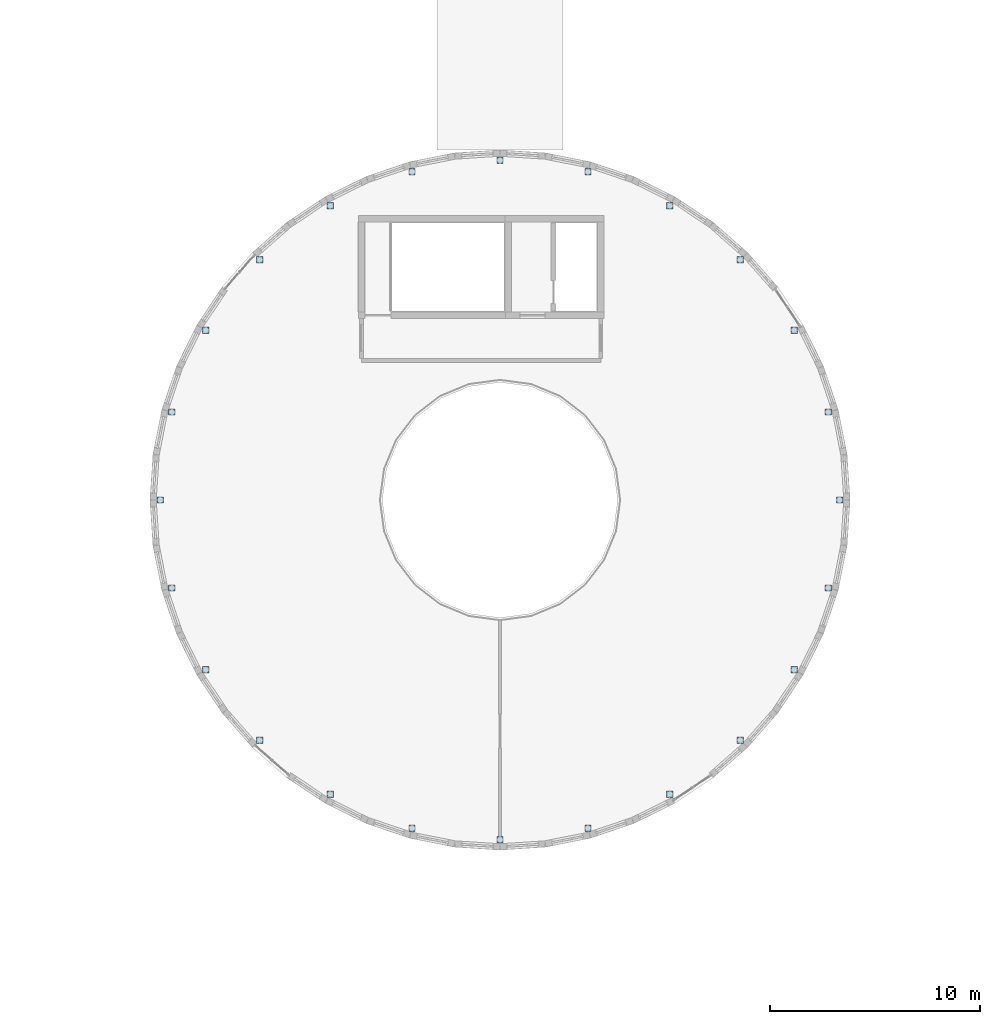
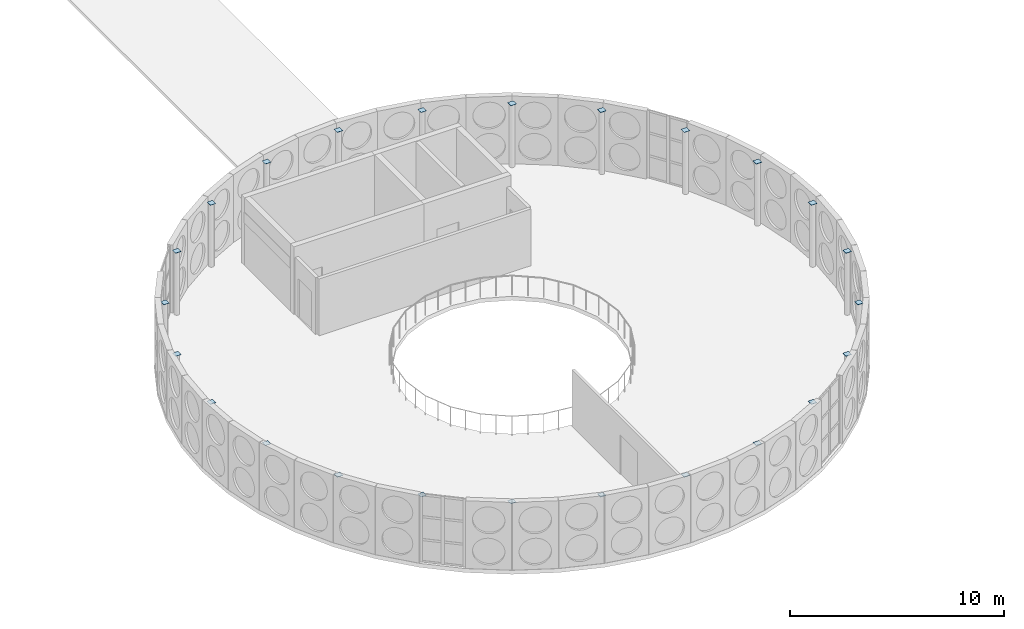
# One storey, part 79 of 114: 24 plates.
"""IFC4 building model written with IfcOpenShell, lengths in metres."""

from ifc_helpers import new_model, si_unit, direction, frame, origin, origin_2d, place, context, subcontext, project, spatial, rectangle, extrude, material, layer, layer_set, type_object, element, save


model = new_model("IFC4")

# Units and contexts
model_context = context("Model", 3, precision=1e-05, world=origin(), true_north=direction((0.0, 1.0)))
body_context = subcontext(model_context, "Body", "Model", "MODEL_VIEW")
ifc_project = project(units=[si_unit("LENGTHUNIT", "METRE"), si_unit("AREAUNIT", "SQUARE_METRE"), si_unit("VOLUMEUNIT", "CUBIC_METRE"), si_unit("PLANEANGLEUNIT", "RADIAN"), si_unit("MASSUNIT", "GRAM", prefix="KILO")], contexts=[model_context])

# Site, building, storey
site_placement = place(None, origin())
site = spatial("IfcSite", under=ifc_project, at=site_placement, CompositionType="ELEMENT")
building_placement = place(site_placement, origin())
building = spatial("IfcBuilding", under=site, at=building_placement, Name="Montecoro Central Library", CompositionType="ELEMENT")
storey_placement = place(building_placement, frame((0.0, 0.0, 13.260009765625)))
storey = spatial("IfcBuildingStorey", under=building, at=storey_placement, Name="L03", CompositionType="ELEMENT", Elevation=13.260009765625)

# Plates
ifc_material = material(Name="Steel S355", Category="steel")
ifc_layer = layer(ifc_material, 0.01611328125)
ifc_layer_set = layer_set([ifc_layer], Name="Steel S355")
plate_type = type_object("IfcPlateType", Name="PLT-CAP-16", PredefinedType="SHEET", material=ifc_layer_set)
for number, where, z_axis, x_axis, name in (
    (1, (107.780029296875, 35.39990234375, 3.56396484375), (0.0, 0.0, 1.0), (1.0, 0.0, 0.0), "V1-L03-DCAP-01"),
    (2, (107.22900390625, 39.587890625, 3.56396484375), (0.0, 0.0, 1.0), (1.0, 0.0, 0.0), "V1-L03-DCAP-02"),
    (3, (105.612060546875, 43.489990234375, 3.56396484375), (0.0, 0.0, 1.0), (1.0, 0.0, 0.0), "V1-L03-DCAP-03"),
    (4, (103.041015625, 46.841064453125, 3.56396484375), (0.0, 0.0, 1.0), (1.0, 0.0, 0.0), "V1-L03-DCAP-04"),
    (5, (99.68994140625, 49.412109375, 3.56396484375), (0.0, 0.0, 1.0), (1.0, 0.0, 0.0), "V1-L03-DCAP-05"),
    (6, (95.7880859375, 51.029052734375, 3.56396484375), (0.0, 0.0, 1.0), (1.0, 0.0, 0.0), "V1-L03-DCAP-06"),
    (7, (91.60009765625, 51.580078125, 3.56396484375), (0.0, 0.0, 1.0), (1.0, 0.0, 0.0), "V1-L03-DCAP-07"),
    (8, (87.412109375, 51.029052734375, 3.56396484375), (0.0, 0.0, 1.0), (1.0, 0.0, 0.0), "V1-L03-DCAP-08"),
    (9, (83.510009765625, 49.412109375, 3.56396484375), (0.0, 0.0, 1.0), (1.0, 0.0, 0.0), "V1-L03-DCAP-09"),
    (10, (80.158935546875, 46.841064453125, 3.56396484375), (0.0, 0.0, 1.0), (1.0, 0.0, 0.0), "V1-L03-DCAP-10"),
    (11, (77.587890625, 43.489990234375, 3.56396484375), (0.0, 0.0, 1.0), (1.0, 0.0, 0.0), "V1-L03-DCAP-11"),
    (12, (75.970947265625, 39.587890625, 3.56396484375), (0.0, 0.0, 1.0), (1.0, 0.0, 0.0), "V1-L03-DCAP-12"),
    (13, (75.419921875, 35.39990234375, 3.56396484375), (0.0, 0.0, 1.0), (1.0, 0.0, 0.0), "V1-L03-DCAP-13"),
    (14, (75.970947265625, 31.2119140625, 3.56396484375), (0.0, 0.0, 1.0), (1.0, 0.0, 0.0), "V1-L03-DCAP-14"),
    (15, (77.587890625, 27.31005859375, 3.56396484375), (0.0, 0.0, 1.0), (1.0, 0.0, 0.0), "V1-L03-DCAP-15"),
    (16, (80.158935546875, 23.958984375, 3.56396484375), (0.0, 0.0, 1.0), (1.0, 0.0, 0.0), "V1-L03-DCAP-16"),
    (17, (83.510009765625, 21.387939453125, 3.56396484375), (0.0, 0.0, 1.0), (1.0, 0.0, 0.0), "V1-L03-DCAP-17"),
    (18, (87.412109375, 19.77099609375, 3.56396484375), (0.0, 0.0, 1.0), (1.0, 0.0, 0.0), "V1-L03-DCAP-18"),
    (19, (91.60009765625, 19.219970703125, 3.56396484375), (0.0, 0.0, 1.0), (1.0, 0.0, 0.0), "V1-L03-DCAP-19"),
    (20, (95.7880859375, 19.77099609375, 3.56396484375), (0.0, 0.0, 1.0), (1.0, 0.0, 0.0), "V1-L03-DCAP-20"),
    (21, (99.68994140625, 21.387939453125, 3.56396484375), (0.0, 0.0, 1.0), (1.0, 0.0, 0.0), "V1-L03-DCAP-21"),
    (22, (103.041015625, 23.958984375, 3.56396484375), (0.0, 0.0, 1.0), (1.0, 0.0, 0.0), "V1-L03-DCAP-22"),
    (23, (105.612060546875, 27.31005859375, 3.56396484375), (0.0, 0.0, 1.0), (1.0, 0.0, 0.0), "V1-L03-DCAP-23"),
    (24, (107.22900390625, 31.2119140625, 3.56396484375), (0.0, 0.0, 1.0), (1.0, 0.0, 0.0), "V1-L03-DCAP-24"),
):
    element("IfcPlate", number, at=place(storey_placement, frame(where, z_axis=z_axis, x_axis=x_axis)), inside=storey, type_object=plate_type, Name=name, PredefinedType="SHEET", context=body_context, shape_type="SweptSolid", body=[
        extrude(rectangle(XDim=0.300048828125, YDim=0.300048828125, at=origin_2d()), origin(), (0.0, 0.0, 1.0), 0.01611328125),
    ])

save(model, "model.ifc")
